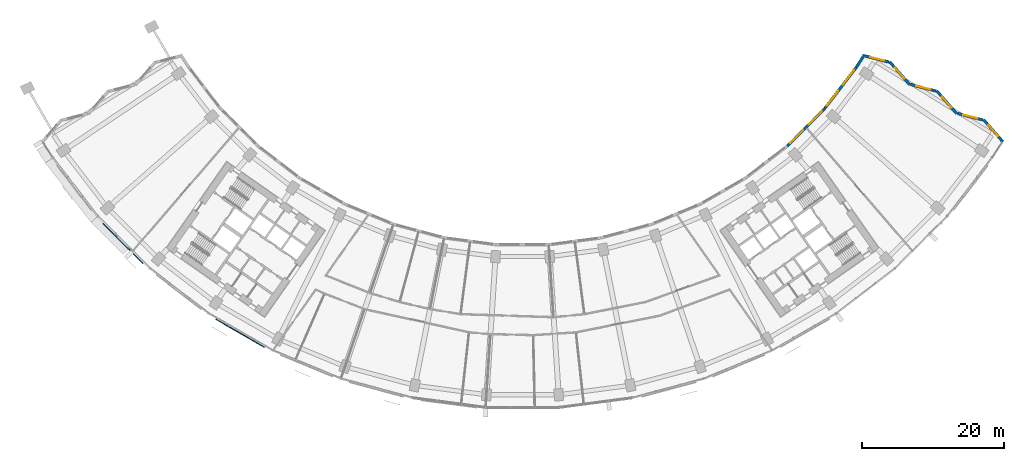
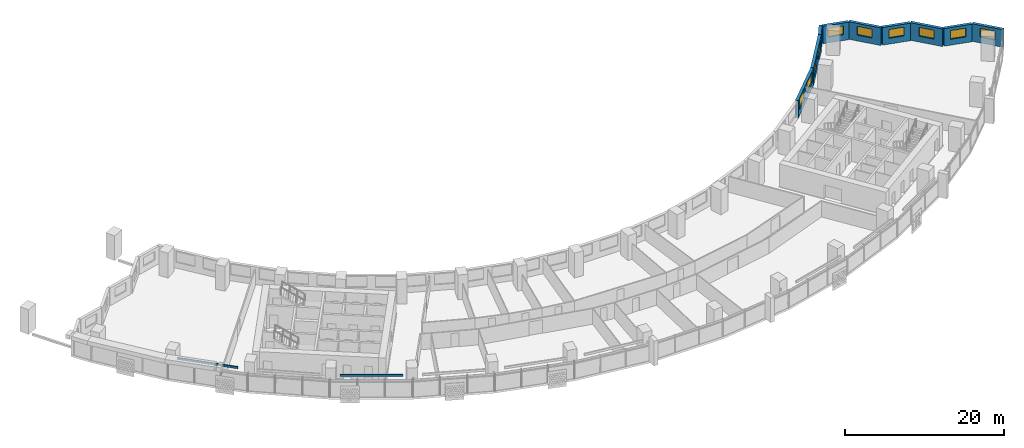
# One storey, part 8 of 30: 10 windows, 9 walls, 2 discrete accessories, 10 openings.
"""IFC4 building model written with IfcOpenShell, lengths in metres."""

from ifc_helpers import new_model, si_unit, direction, frame, frame_2d, origin, origin_2d, place, context, subcontext, project, spatial, rectangle, extrude, material, layer, layer_set, type_object, element, fill, save


model = new_model("IFC4")

# Units and contexts
model_context = context("Model", 3, precision=1e-05, world=origin(), true_north=direction((0.0, 1.0)))
body_context = subcontext(model_context, "Body", "Model", "MODEL_VIEW")
ifc_project = project(units=[si_unit("LENGTHUNIT", "METRE"), si_unit("AREAUNIT", "SQUARE_METRE"), si_unit("VOLUMEUNIT", "CUBIC_METRE"), si_unit("PLANEANGLEUNIT", "RADIAN"), si_unit("MASSUNIT", "GRAM", prefix="KILO")], contexts=[model_context])

# Site, building, storey
site_placement = place(None, origin())
site = spatial("IfcSite", under=ifc_project, at=site_placement, CompositionType="ELEMENT")
building_placement = place(site_placement, origin())
building = spatial("IfcBuilding", under=site, at=building_placement, Name="Qamariyya Broadcast Tower", CompositionType="ELEMENT")
storey_placement = place(building_placement, frame((0.0, 0.0, 67.10009765625)))
storey = spatial("IfcBuildingStorey", under=building, at=storey_placement, Name="L13", CompositionType="ELEMENT", Elevation=67.10009765625)

# Wall, opening, window
ifc_material_1 = material(Name="Terracotta", Category="masonry")
ifc_layer = layer(ifc_material_1, 0.39990234375)
ifc_layer_set = layer_set([ifc_layer], Name="Terracotta clad wall 400")
wall_type = type_object("IfcWallType", Name="Terracotta clad wall 400", PredefinedType="SOLIDWALL", material=ifc_layer_set)
wall_1_placement = place(storey_placement, frame((67.64208984375, -41.944580078125, 0.0), z_axis=(0.0, 0.0, 1.0), x_axis=(-0.658735199734, 0.752374864433, 0.0)))
wall_1 = element("IfcWall", 1, at=wall_1_placement, inside=storey, type_object=wall_type, Name="e-wl-L13-capE0", PredefinedType="SOLIDWALL", context=body_context, shape_type="SweptSolid", body=[
    extrude(rectangle(XDim=4.1220703125, YDim=0.39990234375, at=frame_2d((2.06103515625, 0.0))), origin(), (0.0, 0.0, 1.0), 2.699951171875),
])
opening_1_placement = place(wall_1_placement, frame((1.060791015625, 0.0, 0.89990234375)))
opening_1 = element("IfcOpeningElement", 2, at=opening_1_placement, cuts=wall_1, Name="Opening W4", PredefinedType="OPENING", context=body_context, shape_type="SweptSolid", body=[
    extrude(rectangle(XDim=2.0, YDim=1.35009765625, at=frame_2d((1.0, 0.675048828125))), frame((0.0, 0.2099609375, 0.0), z_axis=(0.0, -1.0, 0.0), x_axis=(1.0, 0.0, 0.0)), (0.0, 0.0, 1.0), 0.419921875),
])
ifc_material_2 = material(Name="Clear low-e double glazed unit in aluminium frame", Category="aluminium")
window_type_1 = type_object("IfcWindowType", Name="Horn bay window 2000 x 1350", PartitioningType="SINGLE_PANEL", PredefinedType="WINDOW", material=ifc_material_2)
window_1_placement = place(opening_1_placement, origin())
window_1 = element("IfcWindow", 3, at=window_1_placement, inside=storey, type_object=window_type_1, Name="e-w-L13-capE0", OverallHeight=1.35009765625, OverallWidth=2.0, PartitioningType="SINGLE_PANEL", PredefinedType="WINDOW", context=body_context, shape_type="SweptSolid", body=[
    extrude(rectangle(XDim=2.0, YDim=1.35009765625, at=frame_2d((1.0, 0.675048828125))), frame((0.0, 0.030029296875, 0.0), z_axis=(0.0, -1.0, 0.0), x_axis=(1.0, 0.0, 0.0)), (0.0, 0.0, 1.0), 0.06005859375),
])
fill(opening_1, window_1)

wall_2_placement = place(storey_placement, frame((64.802490234375, -38.875244140625, 0.0), z_axis=(0.0, 0.0, 1.0), x_axis=(-0.968357693566, 0.249566378567, 0.0)))
wall_2 = element("IfcWall", 4, at=wall_2_placement, inside=storey, type_object=wall_type, Name="e-wl-L13-capE1", PredefinedType="SOLIDWALL", context=body_context, shape_type="SweptSolid", body=[
    extrude(rectangle(XDim=3.64892578125, YDim=0.39990234375, at=frame_2d((1.824462890625, 0.0))), origin(), (0.0, 0.0, 1.0), 2.699951171875),
])
opening_2_placement = place(wall_2_placement, frame((0.824462890625, 0.0, 0.89990234375)))
opening_2 = element("IfcOpeningElement", 5, at=opening_2_placement, cuts=wall_2, Name="Opening W4", PredefinedType="OPENING", context=body_context, shape_type="SweptSolid", body=[
    extrude(rectangle(XDim=2.0, YDim=1.35009765625, at=frame_2d((1.0, 0.675048828125))), frame((0.0, 0.2099609375, 0.0), z_axis=(0.0, -1.0, 0.0), x_axis=(1.0, 0.0, 0.0)), (0.0, 0.0, 1.0), 0.419921875),
])
window_2_placement = place(opening_2_placement, origin())
window_2 = element("IfcWindow", 6, at=window_2_placement, inside=storey, type_object=window_type_1, Name="e-w-L13-capE1", OverallHeight=1.35009765625, OverallWidth=2.0, PartitioningType="SINGLE_PANEL", PredefinedType="WINDOW", context=body_context, shape_type="SweptSolid", body=[
    extrude(rectangle(XDim=2.0, YDim=1.35009765625, at=frame_2d((1.0, 0.675048828125))), frame((0.0, 0.030029296875, 0.0), z_axis=(0.0, -1.0, 0.0), x_axis=(1.0, 0.0, 0.0)), (0.0, 0.0, 1.0), 0.06005859375),
])
fill(opening_2, window_2)

wall_3_placement = place(storey_placement, frame((61.144775390625, -37.99658203125, 0.0), z_axis=(0.0, 0.0, 1.0), x_axis=(-0.658802375344, 0.75231604412, 0.0)))
wall_3 = element("IfcWall", 7, at=wall_3_placement, inside=storey, type_object=wall_type, Name="e-wl-L13-capE2", PredefinedType="SOLIDWALL", context=body_context, shape_type="SweptSolid", body=[
    extrude(rectangle(XDim=4.294677734375, YDim=0.39990234375, at=frame_2d((2.1474609375, 0.0))), origin(), (0.0, 0.0, 1.0), 2.699951171875),
])
opening_3_placement = place(wall_3_placement, frame((1.147216796875, 0.0, 0.89990234375)))
opening_3 = element("IfcOpeningElement", 8, at=opening_3_placement, cuts=wall_3, Name="Opening W4", PredefinedType="OPENING", context=body_context, shape_type="SweptSolid", body=[
    extrude(rectangle(XDim=2.0, YDim=1.35009765625, at=frame_2d((1.0, 0.675048828125))), frame((0.0, 0.2099609375, 0.0), z_axis=(0.0, -1.0, 0.0), x_axis=(1.0, 0.0, 0.0)), (0.0, 0.0, 1.0), 0.419921875),
])
window_3_placement = place(opening_3_placement, origin())
window_3 = element("IfcWindow", 9, at=window_3_placement, inside=storey, type_object=window_type_1, Name="e-w-L13-capE2", OverallHeight=1.35009765625, OverallWidth=2.0, PartitioningType="SINGLE_PANEL", PredefinedType="WINDOW", context=body_context, shape_type="SweptSolid", body=[
    extrude(rectangle(XDim=2.0, YDim=1.35009765625, at=frame_2d((1.0, 0.675048828125))), frame((0.0, 0.030029296875, 0.0), z_axis=(0.0, -1.0, 0.0), x_axis=(1.0, 0.0, 0.0)), (0.0, 0.0, 1.0), 0.06005859375),
])
fill(opening_3, window_3)

wall_4_placement = place(storey_placement, frame((58.19091796875, -34.797607421875, 0.0), z_axis=(0.0, 0.0, 1.0), x_axis=(-0.968369199595, 0.249521729064, 0.0)))
wall_4 = element("IfcWall", 10, at=wall_4_placement, inside=storey, type_object=wall_type, Name="e-wl-L13-capE3", PredefinedType="SOLIDWALL", context=body_context, shape_type="SweptSolid", body=[
    extrude(rectangle(XDim=3.647705078125, YDim=0.39990234375, at=frame_2d((1.82373046875, 0.0))), origin(), (0.0, 0.0, 1.0), 2.699951171875),
])
opening_4_placement = place(wall_4_placement, frame((0.82373046875, 0.0, 0.89990234375)))
opening_4 = element("IfcOpeningElement", 11, at=opening_4_placement, cuts=wall_4, Name="Opening W4", PredefinedType="OPENING", context=body_context, shape_type="SweptSolid", body=[
    extrude(rectangle(XDim=2.0, YDim=1.35009765625, at=frame_2d((1.0, 0.675048828125))), frame((0.0, 0.2099609375, 0.0), z_axis=(0.0, -1.0, 0.0), x_axis=(1.0, 0.0, 0.0)), (0.0, 0.0, 1.0), 0.419921875),
])
window_4_placement = place(opening_4_placement, origin())
window_4 = element("IfcWindow", 12, at=window_4_placement, inside=storey, type_object=window_type_1, Name="e-w-L13-capE3", OverallHeight=1.35009765625, OverallWidth=2.0, PartitioningType="SINGLE_PANEL", PredefinedType="WINDOW", context=body_context, shape_type="SweptSolid", body=[
    extrude(rectangle(XDim=2.0, YDim=1.35009765625, at=frame_2d((1.0, 0.675048828125))), frame((0.0, 0.030029296875, 0.0), z_axis=(0.0, -1.0, 0.0), x_axis=(1.0, 0.0, 0.0)), (0.0, 0.0, 1.0), 0.06005859375),
])
fill(opening_4, window_4)

wall_5_placement = place(storey_placement, frame((54.534423828125, -33.91943359375, 0.0), z_axis=(0.0, 0.0, 1.0), x_axis=(-0.658878694496, 0.752249204678, 0.0)))
wall_5 = element("IfcWall", 13, at=wall_5_placement, inside=storey, type_object=wall_type, Name="e-wl-L13-capE4", PredefinedType="SOLIDWALL", context=body_context, shape_type="SweptSolid", body=[
    extrude(rectangle(XDim=4.296142578125, YDim=0.39990234375, at=frame_2d((2.14794921875, 0.0))), origin(), (0.0, 0.0, 1.0), 2.699951171875),
])
opening_5_placement = place(wall_5_placement, frame((1.14794921875, 0.0, 0.89990234375)))
opening_5 = element("IfcOpeningElement", 14, at=opening_5_placement, cuts=wall_5, Name="Opening W4", PredefinedType="OPENING", context=body_context, shape_type="SweptSolid", body=[
    extrude(rectangle(XDim=2.0, YDim=1.35009765625, at=frame_2d((1.0, 0.675048828125))), frame((0.0, 0.2099609375, 0.0), z_axis=(0.0, -1.0, 0.0), x_axis=(1.0, 0.0, 0.0)), (0.0, 0.0, 1.0), 0.419921875),
])
window_5_placement = place(opening_5_placement, origin())
window_5 = element("IfcWindow", 15, at=window_5_placement, inside=storey, type_object=window_type_1, Name="e-w-L13-capE4", OverallHeight=1.35009765625, OverallWidth=2.0, PartitioningType="SINGLE_PANEL", PredefinedType="WINDOW", context=body_context, shape_type="SweptSolid", body=[
    extrude(rectangle(XDim=2.0, YDim=1.35009765625, at=frame_2d((1.0, 0.675048828125))), frame((0.0, 0.030029296875, 0.0), z_axis=(0.0, -1.0, 0.0), x_axis=(1.0, 0.0, 0.0)), (0.0, 0.0, 1.0), 0.06005859375),
])
fill(opening_5, window_5)

wall_6_placement = place(storey_placement, frame((51.579345703125, -30.7197265625, 0.0), z_axis=(0.0, 0.0, 1.0), x_axis=(-0.968400164119, 0.249401527931, 0.0)))
wall_6 = element("IfcWall", 16, at=wall_6_placement, inside=storey, type_object=wall_type, Name="e-wl-L13-capE5", PredefinedType="SOLIDWALL", context=body_context, shape_type="SweptSolid", body=[
    extrude(rectangle(XDim=3.393798828125, YDim=0.39990234375, at=frame_2d((1.69677734375, 0.0))), origin(), (0.0, 0.0, 1.0), 2.699951171875),
])
opening_6_placement = place(wall_6_placement, frame((0.697021484375, 0.0, 0.89990234375)))
opening_6 = element("IfcOpeningElement", 17, at=opening_6_placement, cuts=wall_6, Name="Opening W4", PredefinedType="OPENING", context=body_context, shape_type="SweptSolid", body=[
    extrude(rectangle(XDim=2.0, YDim=1.35009765625, at=frame_2d((1.0, 0.675048828125))), frame((0.0, 0.2099609375, 0.0), z_axis=(0.0, -1.0, 0.0), x_axis=(1.0, 0.0, 0.0)), (0.0, 0.0, 1.0), 0.419921875),
])
window_6_placement = place(opening_6_placement, origin())
window_6 = element("IfcWindow", 18, at=window_6_placement, inside=storey, type_object=window_type_1, Name="e-w-L13-capE5", OverallHeight=1.35009765625, OverallWidth=2.0, PartitioningType="SINGLE_PANEL", PredefinedType="WINDOW", context=body_context, shape_type="SweptSolid", body=[
    extrude(rectangle(XDim=2.0, YDim=1.35009765625, at=frame_2d((1.0, 0.675048828125))), frame((0.0, 0.030029296875, 0.0), z_axis=(0.0, -1.0, 0.0), x_axis=(1.0, 0.0, 0.0)), (0.0, 0.0, 1.0), 0.06005859375),
])
fill(opening_6, window_6)

# Wall, openings, windows
wall_7_placement = place(storey_placement, frame((42.534423828125, -37.2685546875, 0.0), z_axis=(0.0, 0.0, 1.0), x_axis=(-0.707106781187, -0.707106781187, 0.0)))
wall_7 = element("IfcWall", 19, at=wall_7_placement, inside=storey, type_object=wall_type, Name="e-wl-L13-in140", PredefinedType="SOLIDWALL", context=body_context, shape_type="SweptSolid", body=[
    extrude(rectangle(XDim=7.447021484375, YDim=0.39990234375, at=frame_2d((3.7236328125, 0.0))), origin(), (0.0, 0.0, 1.0), 2.699951171875),
])
opening_7_placement = place(wall_7_placement, frame((4.266357421875, 0.0, 0.89990234375)))
opening_7 = element("IfcOpeningElement", 20, at=opening_7_placement, cuts=wall_7, Name="Opening W1", PredefinedType="OPENING", context=body_context, shape_type="SweptSolid", body=[
    extrude(rectangle(XDim=2.60009765625, YDim=1.64990234375, at=frame_2d((1.300048828125, 0.824951171875))), frame((0.0, 0.2099609375, 0.0), z_axis=(0.0, -1.0, 0.0), x_axis=(1.0, 0.0, 0.0)), (0.0, 0.0, 1.0), 0.419921875),
])
opening_8_placement = place(wall_7_placement, frame((0.580810546875, 0.0, 0.89990234375)))
opening_8 = element("IfcOpeningElement", 21, at=opening_8_placement, cuts=wall_7, Name="Opening W1", PredefinedType="OPENING", context=body_context, shape_type="SweptSolid", body=[
    extrude(rectangle(XDim=2.60009765625, YDim=1.64990234375, at=frame_2d((1.300048828125, 0.824951171875))), frame((0.0, 0.2099609375, 0.0), z_axis=(0.0, -1.0, 0.0), x_axis=(1.0, 0.0, 0.0)), (0.0, 0.0, 1.0), 0.419921875),
])
window_type_2 = type_object("IfcWindowType", Name="Ribbon window 2600 x 1650", PartitioningType="SINGLE_PANEL", PredefinedType="WINDOW", material=ifc_material_2)
window_7_placement = place(opening_7_placement, origin())
window_7 = element("IfcWindow", 22, at=window_7_placement, inside=storey, type_object=window_type_2, Name="e-w-L13-in14-0", OverallHeight=1.64990234375, OverallWidth=2.60009765625, PartitioningType="SINGLE_PANEL", PredefinedType="WINDOW", context=body_context, shape_type="SweptSolid", body=[
    extrude(rectangle(XDim=2.60009765625, YDim=1.64990234375, at=frame_2d((1.300048828125, 0.824951171875))), frame((0.0, 0.030029296875, 0.0), z_axis=(0.0, -1.0, 0.0), x_axis=(1.0, 0.0, 0.0)), (0.0, 0.0, 1.0), 0.06005859375),
])
fill(opening_7, window_7)
window_8_placement = place(opening_8_placement, origin())
window_8 = element("IfcWindow", 23, at=window_8_placement, inside=storey, type_object=window_type_2, Name="e-w-L13-in14-1", OverallHeight=1.64990234375, OverallWidth=2.60009765625, PartitioningType="SINGLE_PANEL", PredefinedType="WINDOW", context=body_context, shape_type="SweptSolid", body=[
    extrude(rectangle(XDim=2.60009765625, YDim=1.64990234375, at=frame_2d((1.300048828125, 0.824951171875))), frame((0.0, 0.030029296875, 0.0), z_axis=(0.0, -1.0, 0.0), x_axis=(1.0, 0.0, 0.0)), (0.0, 0.0, 1.0), 0.06005859375),
])
fill(opening_8, window_8)

wall_8_placement = place(storey_placement, frame((46.997802734375, -31.446533203125, 0.0), z_axis=(0.0, 0.0, 1.0), x_axis=(-0.608743506398, -0.793367092472, 0.0)))
wall_8 = element("IfcWall", 24, at=wall_8_placement, inside=storey, type_object=wall_type, Name="e-wl-L13-in150", PredefinedType="SOLIDWALL", context=body_context, shape_type="SweptSolid", body=[
    extrude(rectangle(XDim=7.31005859375, YDim=0.39990234375, at=frame_2d((3.655029296875, 0.0))), origin(), (0.0, 0.0, 1.0), 2.699951171875),
])
opening_9_placement = place(wall_8_placement, frame((4.205078125, 0.0, 0.89990234375)))
opening_9 = element("IfcOpeningElement", 25, at=opening_9_placement, cuts=wall_8, Name="Opening W1", PredefinedType="OPENING", context=body_context, shape_type="SweptSolid", body=[
    extrude(rectangle(XDim=2.60009765625, YDim=1.64990234375, at=frame_2d((1.300048828125, 0.824951171875))), frame((0.0, 0.2099609375, 0.0), z_axis=(0.0, -1.0, 0.0), x_axis=(1.0, 0.0, 0.0)), (0.0, 0.0, 1.0), 0.419921875),
])
opening_10_placement = place(wall_8_placement, frame((0.51953125, 0.0, 0.89990234375)))
opening_10 = element("IfcOpeningElement", 26, at=opening_10_placement, cuts=wall_8, Name="Opening W1", PredefinedType="OPENING", context=body_context, shape_type="SweptSolid", body=[
    extrude(rectangle(XDim=2.60009765625, YDim=1.64990234375, at=frame_2d((1.300048828125, 0.824951171875))), frame((0.0, 0.2099609375, 0.0), z_axis=(0.0, -1.0, 0.0), x_axis=(1.0, 0.0, 0.0)), (0.0, 0.0, 1.0), 0.419921875),
])
window_9_placement = place(opening_9_placement, origin())
window_9 = element("IfcWindow", 27, at=window_9_placement, inside=storey, type_object=window_type_2, Name="e-w-L13-in15-0", OverallHeight=1.64990234375, OverallWidth=2.60009765625, PartitioningType="SINGLE_PANEL", PredefinedType="WINDOW", context=body_context, shape_type="SweptSolid", body=[
    extrude(rectangle(XDim=2.60009765625, YDim=1.64990234375, at=frame_2d((1.300048828125, 0.824951171875))), frame((0.0, 0.030029296875, 0.0), z_axis=(0.0, -1.0, 0.0), x_axis=(1.0, 0.0, 0.0)), (0.0, 0.0, 1.0), 0.06005859375),
])
fill(opening_9, window_9)
window_10_placement = place(opening_10_placement, origin())
window_10 = element("IfcWindow", 28, at=window_10_placement, inside=storey, type_object=window_type_2, Name="e-w-L13-in15-1", OverallHeight=1.64990234375, OverallWidth=2.60009765625, PartitioningType="SINGLE_PANEL", PredefinedType="WINDOW", context=body_context, shape_type="SweptSolid", body=[
    extrude(rectangle(XDim=2.60009765625, YDim=1.64990234375, at=frame_2d((1.300048828125, 0.824951171875))), frame((0.0, 0.030029296875, 0.0), z_axis=(0.0, -1.0, 0.0), x_axis=(1.0, 0.0, 0.0)), (0.0, 0.0, 1.0), 0.06005859375),
])
fill(opening_10, window_10)

# Wall
wall_9_placement = place(storey_placement, frame((48.154052734375, -29.651123046875, 0.0), z_axis=(0.0, 0.0, 1.0), x_axis=(-0.540367376196, -0.841429200077, 0.0)))
element("IfcWall", 29, at=wall_9_placement, inside=storey, type_object=wall_type, Name="e-wl-L13-in160", PredefinedType="SOLIDWALL", context=body_context, shape_type="SweptSolid", body=[
    extrude(rectangle(XDim=2.118896484375, YDim=0.39990234375, at=frame_2d((1.0595703125, 0.0))), origin(), (0.0, 0.0, 1.0), 2.699951171875),
])

# Discrete accessories
ifc_material_3 = material(Name="Stainless steel 316", Category="steel")
discrete_accessory_type = type_object("IfcDiscreteAccessoryType", Name="Slab edge fixing angle, stainless steel", PredefinedType="BRACKET", material=ifc_material_3)
for number, where, z_axis, x_axis, name in (
    (30, (-56.25341796875, -56.25341796875, 3.2998046875), (0.0, 0.0, 1.0), (0.707106781187, -0.707106781187, 0.0), "e-br-L13-02-0"),
    (31, (-39.77734375, -68.896240234375, 3.2998046875), (0.0, 0.0, 1.0), (0.866025403784, -0.5, 0.0), "e-br-L13-04-0"),
):
    element("IfcDiscreteAccessory", number, at=place(storey_placement, frame(where, z_axis=z_axis, x_axis=x_axis)), inside=storey, type_object=discrete_accessory_type, Name=name, PredefinedType="BRACKET", context=body_context, shape_type="SweptSolid", body=[
        extrude(rectangle(XDim=7.9140625, YDim=0.14990234375, at=origin_2d()), origin(), (0.0, 0.0, 1.0), 0.300048828125),
    ])

save(model, "model.ifc")
